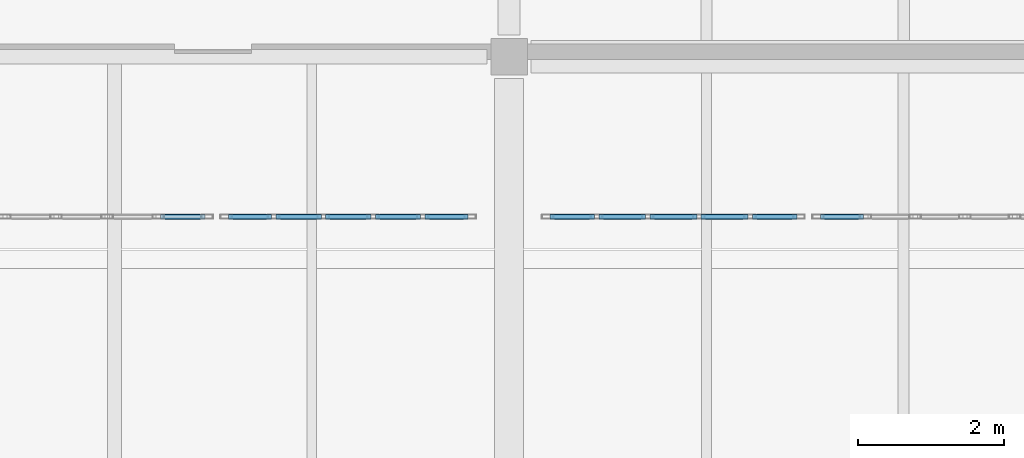
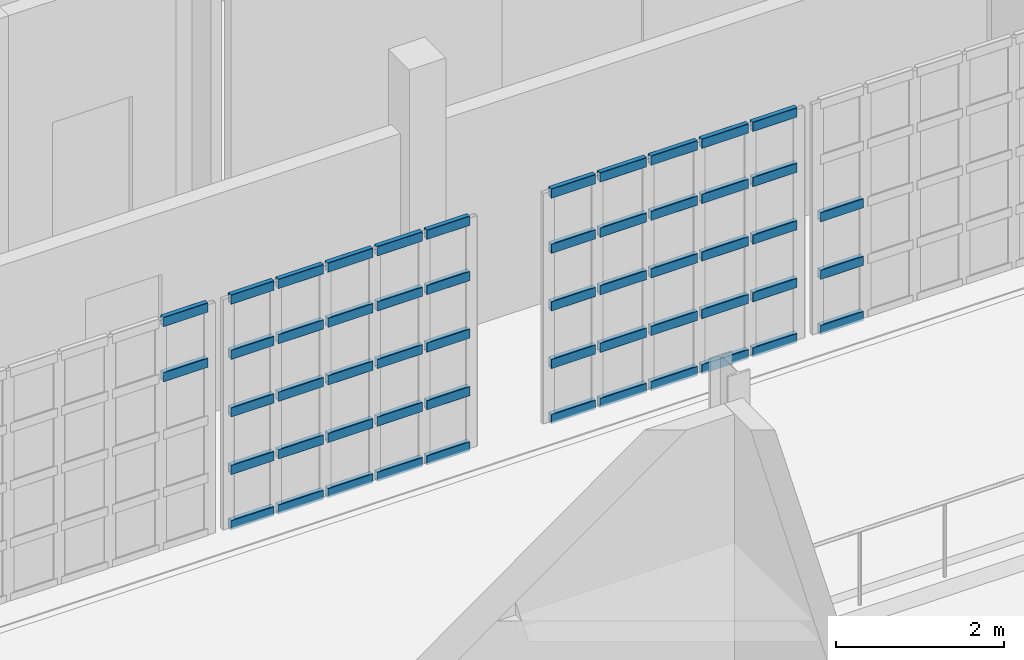
# One storey, part 13 of 25: 55 members, 4 elements without a shape of their own.
"""IFC4 building model written with IfcOpenShell, lengths in metres."""

from ifc_helpers import new_model, si_unit, direction, frame, origin, origin_2d, place, context, subcontext, project, spatial, hollow_rectangle, extrude, material, material_profile, profile_set, type_object, element, aggregate, save


model = new_model("IFC4")

# Units and contexts
model_context = context("Model", 3, precision=1e-05, world=origin(), true_north=direction((0.0, 1.0)))
body_context = subcontext(model_context, "Body", "Model", "MODEL_VIEW")
ifc_project = project(units=[si_unit("LENGTHUNIT", "METRE"), si_unit("AREAUNIT", "SQUARE_METRE"), si_unit("VOLUMEUNIT", "CUBIC_METRE"), si_unit("PLANEANGLEUNIT", "RADIAN"), si_unit("MASSUNIT", "GRAM", prefix="KILO")], contexts=[model_context])

# Site, building, storey
site_placement = place(None, origin())
site = spatial("IfcSite", under=ifc_project, at=site_placement, CompositionType="ELEMENT")
building_placement = place(site_placement, origin())
building = spatial("IfcBuilding", under=site, at=building_placement, Name="Kaelora Sail Theatre", CompositionType="ELEMENT")
storey_placement = place(building_placement, frame((0.0, 0.0, 19.199951171875)))
storey = spatial("IfcBuildingStorey", under=building, at=storey_placement, Name="L04", CompositionType="ELEMENT", Elevation=19.199951171875)

# Curtain wall, members
ifc_material_1 = material(Name="Anodised aluminium and solar-control low-E IGU", Category="aluminium")
curtain_wall_type = type_object("IfcCurtainWallType", Name="ARC-CW-CW-CLR", PredefinedType="NOTDEFINED", material=ifc_material_1)
curtain_wall_1_placement = place(storey_placement, origin())
curtain_wall_1 = element("IfcCurtainWall", 1, at=curtain_wall_1_placement, inside=storey, type_object=curtain_wall_type, Name="Glazed Foyer/Conservatory Curtain Wall NW2-S-L04-04", PredefinedType="NOTDEFINED")
ifc_material_2 = material(Name="Anodised aluminium 6063-T6", Category="aluminium")
ifc_material_profile = material_profile(ifc_material_2, hollow_rectangle(XDim=0.070068359375, YDim=0.139892578125, WallThickness=0.00390625, InnerFilletRadius=0.00390625, OuterFilletRadius=0.008056640625, at=origin_2d()), Name="ALU-TRAN 70x140x4")
ifc_profile_set = profile_set([ifc_material_profile], Name="Anodised aluminium 6063-T6")
member_type = type_object("IfcMemberType", Name="ARC-MEM-TR-140", PredefinedType="USERDEFINED", material=ifc_profile_set)
member_1_placement = place(storey_placement, frame((53.429931640625, 88.590087890625, 2.51025390625), z_axis=(1.0, 0.0, 0.0), x_axis=(0.0, 1.0, 0.0)))
member_1 = element("IfcMember", 2, at=member_1_placement, type_object=member_type, Name="CW-CLR transom 5.4", ObjectType="TRANSOM", PredefinedType="USERDEFINED", context=body_context, shape_type="SweptSolid", body=[
    extrude(hollow_rectangle(XDim=0.070068359375, YDim=0.139892578125, WallThickness=0.00390625, InnerFilletRadius=0.00390625, OuterFilletRadius=0.008056640625, at=origin_2d()), origin(), (0.0, 0.0, 1.0), 0.610107421875),
])
member_2_placement = place(storey_placement, frame((53.429931640625, 88.590087890625, 3.31201171875), z_axis=(1.0, 0.0, 0.0), x_axis=(0.0, 1.0, 0.0)))
member_2 = element("IfcMember", 3, at=member_2_placement, type_object=member_type, Name="CW-CLR transom 5.5", ObjectType="TRANSOM", PredefinedType="USERDEFINED", context=body_context, shape_type="SweptSolid", body=[
    extrude(hollow_rectangle(XDim=0.070068359375, YDim=0.139892578125, WallThickness=0.00390625, InnerFilletRadius=0.00390625, OuterFilletRadius=0.008056640625, at=origin_2d()), origin(), (0.0, 0.0, 1.0), 0.610107421875),
])
aggregate(curtain_wall_1, [member_1, member_2])

curtain_wall_2_placement = place(storey_placement, origin())
curtain_wall_2 = element("IfcCurtainWall", 4, at=curtain_wall_2_placement, inside=storey, type_object=curtain_wall_type, Name="Glazed Foyer/Conservatory Curtain Wall NW2-S-L04-05", PredefinedType="NOTDEFINED")
member_3_placement = place(storey_placement, frame((54.360107421875, 88.590087890625, 0.03515625), z_axis=(1.0, 0.0, 0.0), x_axis=(0.0, 1.0, 0.0)))
member_3 = element("IfcMember", 5, at=member_3_placement, type_object=member_type, Name="CW-CLR transom 1.1", ObjectType="TRANSOM", PredefinedType="USERDEFINED", context=body_context, shape_type="SweptSolid", body=[
    extrude(hollow_rectangle(XDim=0.070068359375, YDim=0.139892578125, WallThickness=0.00390625, InnerFilletRadius=0.00390625, OuterFilletRadius=0.008056640625, at=origin_2d()), origin(), (0.0, 0.0, 1.0), 0.58984375),
])
member_4_placement = place(storey_placement, frame((54.360107421875, 88.590087890625, 0.836669921875), z_axis=(1.0, 0.0, 0.0), x_axis=(0.0, 1.0, 0.0)))
member_4 = element("IfcMember", 6, at=member_4_placement, type_object=member_type, Name="CW-CLR transom 1.2", ObjectType="TRANSOM", PredefinedType="USERDEFINED", context=body_context, shape_type="SweptSolid", body=[
    extrude(hollow_rectangle(XDim=0.070068359375, YDim=0.139892578125, WallThickness=0.00390625, InnerFilletRadius=0.00390625, OuterFilletRadius=0.008056640625, at=origin_2d()), origin(), (0.0, 0.0, 1.0), 0.58984375),
])
member_5_placement = place(storey_placement, frame((54.360107421875, 88.590087890625, 1.673583984375), z_axis=(1.0, 0.0, 0.0), x_axis=(0.0, 1.0, 0.0)))
member_5 = element("IfcMember", 7, at=member_5_placement, type_object=member_type, Name="CW-CLR transom 1.3", ObjectType="TRANSOM", PredefinedType="USERDEFINED", context=body_context, shape_type="SweptSolid", body=[
    extrude(hollow_rectangle(XDim=0.070068359375, YDim=0.139892578125, WallThickness=0.00390625, InnerFilletRadius=0.00390625, OuterFilletRadius=0.008056640625, at=origin_2d()), origin(), (0.0, 0.0, 1.0), 0.58984375),
])
member_6_placement = place(storey_placement, frame((54.360107421875, 88.590087890625, 2.51025390625), z_axis=(1.0, 0.0, 0.0), x_axis=(0.0, 1.0, 0.0)))
member_6 = element("IfcMember", 8, at=member_6_placement, type_object=member_type, Name="CW-CLR transom 1.4", ObjectType="TRANSOM", PredefinedType="USERDEFINED", context=body_context, shape_type="SweptSolid", body=[
    extrude(hollow_rectangle(XDim=0.070068359375, YDim=0.139892578125, WallThickness=0.00390625, InnerFilletRadius=0.00390625, OuterFilletRadius=0.008056640625, at=origin_2d()), origin(), (0.0, 0.0, 1.0), 0.58984375),
])
member_7_placement = place(storey_placement, frame((54.360107421875, 88.590087890625, 3.31201171875), z_axis=(1.0, 0.0, 0.0), x_axis=(0.0, 1.0, 0.0)))
member_7 = element("IfcMember", 9, at=member_7_placement, type_object=member_type, Name="CW-CLR transom 1.5", ObjectType="TRANSOM", PredefinedType="USERDEFINED", context=body_context, shape_type="SweptSolid", body=[
    extrude(hollow_rectangle(XDim=0.070068359375, YDim=0.139892578125, WallThickness=0.00390625, InnerFilletRadius=0.00390625, OuterFilletRadius=0.008056640625, at=origin_2d()), origin(), (0.0, 0.0, 1.0), 0.58984375),
])
member_8_placement = place(storey_placement, frame((55.010009765625, 88.590087890625, 0.03515625), z_axis=(1.0, 0.0, 0.0), x_axis=(0.0, 1.0, 0.0)))
member_8 = element("IfcMember", 10, at=member_8_placement, type_object=member_type, Name="CW-CLR transom 2.1", ObjectType="TRANSOM", PredefinedType="USERDEFINED", context=body_context, shape_type="SweptSolid", body=[
    extrude(hollow_rectangle(XDim=0.070068359375, YDim=0.139892578125, WallThickness=0.00390625, InnerFilletRadius=0.00390625, OuterFilletRadius=0.008056640625, at=origin_2d()), origin(), (0.0, 0.0, 1.0), 0.619873046875),
])
member_9_placement = place(storey_placement, frame((55.010009765625, 88.590087890625, 0.836669921875), z_axis=(1.0, 0.0, 0.0), x_axis=(0.0, 1.0, 0.0)))
member_9 = element("IfcMember", 11, at=member_9_placement, type_object=member_type, Name="CW-CLR transom 2.2", ObjectType="TRANSOM", PredefinedType="USERDEFINED", context=body_context, shape_type="SweptSolid", body=[
    extrude(hollow_rectangle(XDim=0.070068359375, YDim=0.139892578125, WallThickness=0.00390625, InnerFilletRadius=0.00390625, OuterFilletRadius=0.008056640625, at=origin_2d()), origin(), (0.0, 0.0, 1.0), 0.619873046875),
])
member_10_placement = place(storey_placement, frame((55.010009765625, 88.590087890625, 1.673583984375), z_axis=(1.0, 0.0, 0.0), x_axis=(0.0, 1.0, 0.0)))
member_10 = element("IfcMember", 12, at=member_10_placement, type_object=member_type, Name="CW-CLR transom 2.3", ObjectType="TRANSOM", PredefinedType="USERDEFINED", context=body_context, shape_type="SweptSolid", body=[
    extrude(hollow_rectangle(XDim=0.070068359375, YDim=0.139892578125, WallThickness=0.00390625, InnerFilletRadius=0.00390625, OuterFilletRadius=0.008056640625, at=origin_2d()), origin(), (0.0, 0.0, 1.0), 0.619873046875),
])
member_11_placement = place(storey_placement, frame((55.010009765625, 88.590087890625, 2.51025390625), z_axis=(1.0, 0.0, 0.0), x_axis=(0.0, 1.0, 0.0)))
member_11 = element("IfcMember", 13, at=member_11_placement, type_object=member_type, Name="CW-CLR transom 2.4", ObjectType="TRANSOM", PredefinedType="USERDEFINED", context=body_context, shape_type="SweptSolid", body=[
    extrude(hollow_rectangle(XDim=0.070068359375, YDim=0.139892578125, WallThickness=0.00390625, InnerFilletRadius=0.00390625, OuterFilletRadius=0.008056640625, at=origin_2d()), origin(), (0.0, 0.0, 1.0), 0.619873046875),
])
member_12_placement = place(storey_placement, frame((55.010009765625, 88.590087890625, 3.31201171875), z_axis=(1.0, 0.0, 0.0), x_axis=(0.0, 1.0, 0.0)))
member_12 = element("IfcMember", 14, at=member_12_placement, type_object=member_type, Name="CW-CLR transom 2.5", ObjectType="TRANSOM", PredefinedType="USERDEFINED", context=body_context, shape_type="SweptSolid", body=[
    extrude(hollow_rectangle(XDim=0.070068359375, YDim=0.139892578125, WallThickness=0.00390625, InnerFilletRadius=0.00390625, OuterFilletRadius=0.008056640625, at=origin_2d()), origin(), (0.0, 0.0, 1.0), 0.619873046875),
])
member_13_placement = place(storey_placement, frame((55.68994140625, 88.590087890625, 0.03515625), z_axis=(1.0, 0.0, 0.0), x_axis=(0.0, 1.0, 0.0)))
member_13 = element("IfcMember", 15, at=member_13_placement, type_object=member_type, Name="CW-CLR transom 3.1", ObjectType="TRANSOM", PredefinedType="USERDEFINED", context=body_context, shape_type="SweptSolid", body=[
    extrude(hollow_rectangle(XDim=0.070068359375, YDim=0.139892578125, WallThickness=0.00390625, InnerFilletRadius=0.00390625, OuterFilletRadius=0.008056640625, at=origin_2d()), origin(), (0.0, 0.0, 1.0), 0.6201171875),
])
member_14_placement = place(storey_placement, frame((55.68994140625, 88.590087890625, 0.836669921875), z_axis=(1.0, 0.0, 0.0), x_axis=(0.0, 1.0, 0.0)))
member_14 = element("IfcMember", 16, at=member_14_placement, type_object=member_type, Name="CW-CLR transom 3.2", ObjectType="TRANSOM", PredefinedType="USERDEFINED", context=body_context, shape_type="SweptSolid", body=[
    extrude(hollow_rectangle(XDim=0.070068359375, YDim=0.139892578125, WallThickness=0.00390625, InnerFilletRadius=0.00390625, OuterFilletRadius=0.008056640625, at=origin_2d()), origin(), (0.0, 0.0, 1.0), 0.6201171875),
])
member_15_placement = place(storey_placement, frame((55.68994140625, 88.590087890625, 1.673583984375), z_axis=(1.0, 0.0, 0.0), x_axis=(0.0, 1.0, 0.0)))
member_15 = element("IfcMember", 17, at=member_15_placement, type_object=member_type, Name="CW-CLR transom 3.3", ObjectType="TRANSOM", PredefinedType="USERDEFINED", context=body_context, shape_type="SweptSolid", body=[
    extrude(hollow_rectangle(XDim=0.070068359375, YDim=0.139892578125, WallThickness=0.00390625, InnerFilletRadius=0.00390625, OuterFilletRadius=0.008056640625, at=origin_2d()), origin(), (0.0, 0.0, 1.0), 0.6201171875),
])
member_16_placement = place(storey_placement, frame((55.68994140625, 88.590087890625, 2.51025390625), z_axis=(1.0, 0.0, 0.0), x_axis=(0.0, 1.0, 0.0)))
member_16 = element("IfcMember", 18, at=member_16_placement, type_object=member_type, Name="CW-CLR transom 3.4", ObjectType="TRANSOM", PredefinedType="USERDEFINED", context=body_context, shape_type="SweptSolid", body=[
    extrude(hollow_rectangle(XDim=0.070068359375, YDim=0.139892578125, WallThickness=0.00390625, InnerFilletRadius=0.00390625, OuterFilletRadius=0.008056640625, at=origin_2d()), origin(), (0.0, 0.0, 1.0), 0.6201171875),
])
member_17_placement = place(storey_placement, frame((55.68994140625, 88.590087890625, 3.31201171875), z_axis=(1.0, 0.0, 0.0), x_axis=(0.0, 1.0, 0.0)))
member_17 = element("IfcMember", 19, at=member_17_placement, type_object=member_type, Name="CW-CLR transom 3.5", ObjectType="TRANSOM", PredefinedType="USERDEFINED", context=body_context, shape_type="SweptSolid", body=[
    extrude(hollow_rectangle(XDim=0.070068359375, YDim=0.139892578125, WallThickness=0.00390625, InnerFilletRadius=0.00390625, OuterFilletRadius=0.008056640625, at=origin_2d()), origin(), (0.0, 0.0, 1.0), 0.6201171875),
])
member_18_placement = place(storey_placement, frame((56.3701171875, 88.590087890625, 0.03515625), z_axis=(1.0, 0.0, 0.0), x_axis=(0.0, 1.0, 0.0)))
member_18 = element("IfcMember", 20, at=member_18_placement, type_object=member_type, Name="CW-CLR transom 4.1", ObjectType="TRANSOM", PredefinedType="USERDEFINED", context=body_context, shape_type="SweptSolid", body=[
    extrude(hollow_rectangle(XDim=0.070068359375, YDim=0.139892578125, WallThickness=0.00390625, InnerFilletRadius=0.00390625, OuterFilletRadius=0.008056640625, at=origin_2d()), origin(), (0.0, 0.0, 1.0), 0.619873046875),
])
member_19_placement = place(storey_placement, frame((56.3701171875, 88.590087890625, 0.836669921875), z_axis=(1.0, 0.0, 0.0), x_axis=(0.0, 1.0, 0.0)))
member_19 = element("IfcMember", 21, at=member_19_placement, type_object=member_type, Name="CW-CLR transom 4.2", ObjectType="TRANSOM", PredefinedType="USERDEFINED", context=body_context, shape_type="SweptSolid", body=[
    extrude(hollow_rectangle(XDim=0.070068359375, YDim=0.139892578125, WallThickness=0.00390625, InnerFilletRadius=0.00390625, OuterFilletRadius=0.008056640625, at=origin_2d()), origin(), (0.0, 0.0, 1.0), 0.619873046875),
])
member_20_placement = place(storey_placement, frame((56.3701171875, 88.590087890625, 1.673583984375), z_axis=(1.0, 0.0, 0.0), x_axis=(0.0, 1.0, 0.0)))
member_20 = element("IfcMember", 22, at=member_20_placement, type_object=member_type, Name="CW-CLR transom 4.3", ObjectType="TRANSOM", PredefinedType="USERDEFINED", context=body_context, shape_type="SweptSolid", body=[
    extrude(hollow_rectangle(XDim=0.070068359375, YDim=0.139892578125, WallThickness=0.00390625, InnerFilletRadius=0.00390625, OuterFilletRadius=0.008056640625, at=origin_2d()), origin(), (0.0, 0.0, 1.0), 0.619873046875),
])
member_21_placement = place(storey_placement, frame((56.3701171875, 88.590087890625, 2.51025390625), z_axis=(1.0, 0.0, 0.0), x_axis=(0.0, 1.0, 0.0)))
member_21 = element("IfcMember", 23, at=member_21_placement, type_object=member_type, Name="CW-CLR transom 4.4", ObjectType="TRANSOM", PredefinedType="USERDEFINED", context=body_context, shape_type="SweptSolid", body=[
    extrude(hollow_rectangle(XDim=0.070068359375, YDim=0.139892578125, WallThickness=0.00390625, InnerFilletRadius=0.00390625, OuterFilletRadius=0.008056640625, at=origin_2d()), origin(), (0.0, 0.0, 1.0), 0.619873046875),
])
member_22_placement = place(storey_placement, frame((56.3701171875, 88.590087890625, 3.31201171875), z_axis=(1.0, 0.0, 0.0), x_axis=(0.0, 1.0, 0.0)))
member_22 = element("IfcMember", 24, at=member_22_placement, type_object=member_type, Name="CW-CLR transom 4.5", ObjectType="TRANSOM", PredefinedType="USERDEFINED", context=body_context, shape_type="SweptSolid", body=[
    extrude(hollow_rectangle(XDim=0.070068359375, YDim=0.139892578125, WallThickness=0.00390625, InnerFilletRadius=0.00390625, OuterFilletRadius=0.008056640625, at=origin_2d()), origin(), (0.0, 0.0, 1.0), 0.619873046875),
])
member_23_placement = place(storey_placement, frame((57.050048828125, 88.590087890625, 0.03515625), z_axis=(1.0, 0.0, 0.0), x_axis=(0.0, 1.0, 0.0)))
member_23 = element("IfcMember", 25, at=member_23_placement, type_object=member_type, Name="CW-CLR transom 5.1", ObjectType="TRANSOM", PredefinedType="USERDEFINED", context=body_context, shape_type="SweptSolid", body=[
    extrude(hollow_rectangle(XDim=0.070068359375, YDim=0.139892578125, WallThickness=0.00390625, InnerFilletRadius=0.00390625, OuterFilletRadius=0.008056640625, at=origin_2d()), origin(), (0.0, 0.0, 1.0), 0.58984375),
])
member_24_placement = place(storey_placement, frame((57.050048828125, 88.590087890625, 0.836669921875), z_axis=(1.0, 0.0, 0.0), x_axis=(0.0, 1.0, 0.0)))
member_24 = element("IfcMember", 26, at=member_24_placement, type_object=member_type, Name="CW-CLR transom 5.2", ObjectType="TRANSOM", PredefinedType="USERDEFINED", context=body_context, shape_type="SweptSolid", body=[
    extrude(hollow_rectangle(XDim=0.070068359375, YDim=0.139892578125, WallThickness=0.00390625, InnerFilletRadius=0.00390625, OuterFilletRadius=0.008056640625, at=origin_2d()), origin(), (0.0, 0.0, 1.0), 0.58984375),
])
member_25_placement = place(storey_placement, frame((57.050048828125, 88.590087890625, 1.673583984375), z_axis=(1.0, 0.0, 0.0), x_axis=(0.0, 1.0, 0.0)))
member_25 = element("IfcMember", 27, at=member_25_placement, type_object=member_type, Name="CW-CLR transom 5.3", ObjectType="TRANSOM", PredefinedType="USERDEFINED", context=body_context, shape_type="SweptSolid", body=[
    extrude(hollow_rectangle(XDim=0.070068359375, YDim=0.139892578125, WallThickness=0.00390625, InnerFilletRadius=0.00390625, OuterFilletRadius=0.008056640625, at=origin_2d()), origin(), (0.0, 0.0, 1.0), 0.58984375),
])
member_26_placement = place(storey_placement, frame((57.050048828125, 88.590087890625, 2.51025390625), z_axis=(1.0, 0.0, 0.0), x_axis=(0.0, 1.0, 0.0)))
member_26 = element("IfcMember", 28, at=member_26_placement, type_object=member_type, Name="CW-CLR transom 5.4", ObjectType="TRANSOM", PredefinedType="USERDEFINED", context=body_context, shape_type="SweptSolid", body=[
    extrude(hollow_rectangle(XDim=0.070068359375, YDim=0.139892578125, WallThickness=0.00390625, InnerFilletRadius=0.00390625, OuterFilletRadius=0.008056640625, at=origin_2d()), origin(), (0.0, 0.0, 1.0), 0.58984375),
])
member_27_placement = place(storey_placement, frame((57.050048828125, 88.590087890625, 3.31201171875), z_axis=(1.0, 0.0, 0.0), x_axis=(0.0, 1.0, 0.0)))
member_27 = element("IfcMember", 29, at=member_27_placement, type_object=member_type, Name="CW-CLR transom 5.5", ObjectType="TRANSOM", PredefinedType="USERDEFINED", context=body_context, shape_type="SweptSolid", body=[
    extrude(hollow_rectangle(XDim=0.070068359375, YDim=0.139892578125, WallThickness=0.00390625, InnerFilletRadius=0.00390625, OuterFilletRadius=0.008056640625, at=origin_2d()), origin(), (0.0, 0.0, 1.0), 0.58984375),
])
aggregate(curtain_wall_2, [member_3, member_4, member_5, member_6, member_7, member_8, member_9, member_10, member_11, member_12, member_13, member_14, member_15, member_16, member_17, member_18, member_19, member_20, member_21, member_22, member_23, member_24, member_25, member_26, member_27])

curtain_wall_3_placement = place(storey_placement, origin())
curtain_wall_3 = element("IfcCurtainWall", 30, at=curtain_wall_3_placement, inside=storey, type_object=curtain_wall_type, Name="Glazed Foyer/Conservatory Curtain Wall NW2-S-L04-06", PredefinedType="NOTDEFINED")
member_28_placement = place(storey_placement, frame((58.760009765625, 88.590087890625, 0.03515625), z_axis=(1.0, 0.0, 0.0), x_axis=(0.0, 1.0, 0.0)))
member_28 = element("IfcMember", 31, at=member_28_placement, type_object=member_type, Name="CW-CLR transom 1.1", ObjectType="TRANSOM", PredefinedType="USERDEFINED", context=body_context, shape_type="SweptSolid", body=[
    extrude(hollow_rectangle(XDim=0.070068359375, YDim=0.139892578125, WallThickness=0.00390625, InnerFilletRadius=0.00390625, OuterFilletRadius=0.008056640625, at=origin_2d()), origin(), (0.0, 0.0, 1.0), 0.610107421875),
])
member_29_placement = place(storey_placement, frame((58.760009765625, 88.590087890625, 0.836669921875), z_axis=(1.0, 0.0, 0.0), x_axis=(0.0, 1.0, 0.0)))
member_29 = element("IfcMember", 32, at=member_29_placement, type_object=member_type, Name="CW-CLR transom 1.2", ObjectType="TRANSOM", PredefinedType="USERDEFINED", context=body_context, shape_type="SweptSolid", body=[
    extrude(hollow_rectangle(XDim=0.070068359375, YDim=0.139892578125, WallThickness=0.00390625, InnerFilletRadius=0.00390625, OuterFilletRadius=0.008056640625, at=origin_2d()), origin(), (0.0, 0.0, 1.0), 0.610107421875),
])
member_30_placement = place(storey_placement, frame((58.760009765625, 88.590087890625, 1.673583984375), z_axis=(1.0, 0.0, 0.0), x_axis=(0.0, 1.0, 0.0)))
member_30 = element("IfcMember", 33, at=member_30_placement, type_object=member_type, Name="CW-CLR transom 1.3", ObjectType="TRANSOM", PredefinedType="USERDEFINED", context=body_context, shape_type="SweptSolid", body=[
    extrude(hollow_rectangle(XDim=0.070068359375, YDim=0.139892578125, WallThickness=0.00390625, InnerFilletRadius=0.00390625, OuterFilletRadius=0.008056640625, at=origin_2d()), origin(), (0.0, 0.0, 1.0), 0.610107421875),
])
member_31_placement = place(storey_placement, frame((58.760009765625, 88.590087890625, 2.51025390625), z_axis=(1.0, 0.0, 0.0), x_axis=(0.0, 1.0, 0.0)))
member_31 = element("IfcMember", 34, at=member_31_placement, type_object=member_type, Name="CW-CLR transom 1.4", ObjectType="TRANSOM", PredefinedType="USERDEFINED", context=body_context, shape_type="SweptSolid", body=[
    extrude(hollow_rectangle(XDim=0.070068359375, YDim=0.139892578125, WallThickness=0.00390625, InnerFilletRadius=0.00390625, OuterFilletRadius=0.008056640625, at=origin_2d()), origin(), (0.0, 0.0, 1.0), 0.610107421875),
])
member_32_placement = place(storey_placement, frame((58.760009765625, 88.590087890625, 3.31201171875), z_axis=(1.0, 0.0, 0.0), x_axis=(0.0, 1.0, 0.0)))
member_32 = element("IfcMember", 35, at=member_32_placement, type_object=member_type, Name="CW-CLR transom 1.5", ObjectType="TRANSOM", PredefinedType="USERDEFINED", context=body_context, shape_type="SweptSolid", body=[
    extrude(hollow_rectangle(XDim=0.070068359375, YDim=0.139892578125, WallThickness=0.00390625, InnerFilletRadius=0.00390625, OuterFilletRadius=0.008056640625, at=origin_2d()), origin(), (0.0, 0.0, 1.0), 0.610107421875),
])
member_33_placement = place(storey_placement, frame((59.429931640625, 88.590087890625, 0.03515625), z_axis=(1.0, 0.0, 0.0), x_axis=(0.0, 1.0, 0.0)))
member_33 = element("IfcMember", 36, at=member_33_placement, type_object=member_type, Name="CW-CLR transom 2.1", ObjectType="TRANSOM", PredefinedType="USERDEFINED", context=body_context, shape_type="SweptSolid", body=[
    extrude(hollow_rectangle(XDim=0.070068359375, YDim=0.139892578125, WallThickness=0.00390625, InnerFilletRadius=0.00390625, OuterFilletRadius=0.008056640625, at=origin_2d()), origin(), (0.0, 0.0, 1.0), 0.64013671875),
])
member_34_placement = place(storey_placement, frame((59.429931640625, 88.590087890625, 0.836669921875), z_axis=(1.0, 0.0, 0.0), x_axis=(0.0, 1.0, 0.0)))
member_34 = element("IfcMember", 37, at=member_34_placement, type_object=member_type, Name="CW-CLR transom 2.2", ObjectType="TRANSOM", PredefinedType="USERDEFINED", context=body_context, shape_type="SweptSolid", body=[
    extrude(hollow_rectangle(XDim=0.070068359375, YDim=0.139892578125, WallThickness=0.00390625, InnerFilletRadius=0.00390625, OuterFilletRadius=0.008056640625, at=origin_2d()), origin(), (0.0, 0.0, 1.0), 0.64013671875),
])
member_35_placement = place(storey_placement, frame((59.429931640625, 88.590087890625, 1.673583984375), z_axis=(1.0, 0.0, 0.0), x_axis=(0.0, 1.0, 0.0)))
member_35 = element("IfcMember", 38, at=member_35_placement, type_object=member_type, Name="CW-CLR transom 2.3", ObjectType="TRANSOM", PredefinedType="USERDEFINED", context=body_context, shape_type="SweptSolid", body=[
    extrude(hollow_rectangle(XDim=0.070068359375, YDim=0.139892578125, WallThickness=0.00390625, InnerFilletRadius=0.00390625, OuterFilletRadius=0.008056640625, at=origin_2d()), origin(), (0.0, 0.0, 1.0), 0.64013671875),
])
member_36_placement = place(storey_placement, frame((59.429931640625, 88.590087890625, 2.51025390625), z_axis=(1.0, 0.0, 0.0), x_axis=(0.0, 1.0, 0.0)))
member_36 = element("IfcMember", 39, at=member_36_placement, type_object=member_type, Name="CW-CLR transom 2.4", ObjectType="TRANSOM", PredefinedType="USERDEFINED", context=body_context, shape_type="SweptSolid", body=[
    extrude(hollow_rectangle(XDim=0.070068359375, YDim=0.139892578125, WallThickness=0.00390625, InnerFilletRadius=0.00390625, OuterFilletRadius=0.008056640625, at=origin_2d()), origin(), (0.0, 0.0, 1.0), 0.64013671875),
])
member_37_placement = place(storey_placement, frame((59.429931640625, 88.590087890625, 3.31201171875), z_axis=(1.0, 0.0, 0.0), x_axis=(0.0, 1.0, 0.0)))
member_37 = element("IfcMember", 40, at=member_37_placement, type_object=member_type, Name="CW-CLR transom 2.5", ObjectType="TRANSOM", PredefinedType="USERDEFINED", context=body_context, shape_type="SweptSolid", body=[
    extrude(hollow_rectangle(XDim=0.070068359375, YDim=0.139892578125, WallThickness=0.00390625, InnerFilletRadius=0.00390625, OuterFilletRadius=0.008056640625, at=origin_2d()), origin(), (0.0, 0.0, 1.0), 0.64013671875),
])
member_38_placement = place(storey_placement, frame((60.1298828125, 88.590087890625, 0.03515625), z_axis=(1.0, 0.0, 0.0), x_axis=(0.0, 1.0, 0.0)))
member_38 = element("IfcMember", 41, at=member_38_placement, type_object=member_type, Name="CW-CLR transom 3.1", ObjectType="TRANSOM", PredefinedType="USERDEFINED", context=body_context, shape_type="SweptSolid", body=[
    extrude(hollow_rectangle(XDim=0.070068359375, YDim=0.139892578125, WallThickness=0.00390625, InnerFilletRadius=0.00390625, OuterFilletRadius=0.008056640625, at=origin_2d()), origin(), (0.0, 0.0, 1.0), 0.64013671875),
])
member_39_placement = place(storey_placement, frame((60.1298828125, 88.590087890625, 0.836669921875), z_axis=(1.0, 0.0, 0.0), x_axis=(0.0, 1.0, 0.0)))
member_39 = element("IfcMember", 42, at=member_39_placement, type_object=member_type, Name="CW-CLR transom 3.2", ObjectType="TRANSOM", PredefinedType="USERDEFINED", context=body_context, shape_type="SweptSolid", body=[
    extrude(hollow_rectangle(XDim=0.070068359375, YDim=0.139892578125, WallThickness=0.00390625, InnerFilletRadius=0.00390625, OuterFilletRadius=0.008056640625, at=origin_2d()), origin(), (0.0, 0.0, 1.0), 0.64013671875),
])
member_40_placement = place(storey_placement, frame((60.1298828125, 88.590087890625, 1.673583984375), z_axis=(1.0, 0.0, 0.0), x_axis=(0.0, 1.0, 0.0)))
member_40 = element("IfcMember", 43, at=member_40_placement, type_object=member_type, Name="CW-CLR transom 3.3", ObjectType="TRANSOM", PredefinedType="USERDEFINED", context=body_context, shape_type="SweptSolid", body=[
    extrude(hollow_rectangle(XDim=0.070068359375, YDim=0.139892578125, WallThickness=0.00390625, InnerFilletRadius=0.00390625, OuterFilletRadius=0.008056640625, at=origin_2d()), origin(), (0.0, 0.0, 1.0), 0.64013671875),
])
member_41_placement = place(storey_placement, frame((60.1298828125, 88.590087890625, 2.51025390625), z_axis=(1.0, 0.0, 0.0), x_axis=(0.0, 1.0, 0.0)))
member_41 = element("IfcMember", 44, at=member_41_placement, type_object=member_type, Name="CW-CLR transom 3.4", ObjectType="TRANSOM", PredefinedType="USERDEFINED", context=body_context, shape_type="SweptSolid", body=[
    extrude(hollow_rectangle(XDim=0.070068359375, YDim=0.139892578125, WallThickness=0.00390625, InnerFilletRadius=0.00390625, OuterFilletRadius=0.008056640625, at=origin_2d()), origin(), (0.0, 0.0, 1.0), 0.64013671875),
])
member_42_placement = place(storey_placement, frame((60.1298828125, 88.590087890625, 3.31201171875), z_axis=(1.0, 0.0, 0.0), x_axis=(0.0, 1.0, 0.0)))
member_42 = element("IfcMember", 45, at=member_42_placement, type_object=member_type, Name="CW-CLR transom 3.5", ObjectType="TRANSOM", PredefinedType="USERDEFINED", context=body_context, shape_type="SweptSolid", body=[
    extrude(hollow_rectangle(XDim=0.070068359375, YDim=0.139892578125, WallThickness=0.00390625, InnerFilletRadius=0.00390625, OuterFilletRadius=0.008056640625, at=origin_2d()), origin(), (0.0, 0.0, 1.0), 0.64013671875),
])
member_43_placement = place(storey_placement, frame((60.830078125, 88.590087890625, 0.03515625), z_axis=(1.0, 0.0, 0.0), x_axis=(0.0, 1.0, 0.0)))
member_43 = element("IfcMember", 46, at=member_43_placement, type_object=member_type, Name="CW-CLR transom 4.1", ObjectType="TRANSOM", PredefinedType="USERDEFINED", context=body_context, shape_type="SweptSolid", body=[
    extrude(hollow_rectangle(XDim=0.070068359375, YDim=0.139892578125, WallThickness=0.00390625, InnerFilletRadius=0.00390625, OuterFilletRadius=0.008056640625, at=origin_2d()), origin(), (0.0, 0.0, 1.0), 0.639892578125),
])
member_44_placement = place(storey_placement, frame((60.830078125, 88.590087890625, 0.836669921875), z_axis=(1.0, 0.0, 0.0), x_axis=(0.0, 1.0, 0.0)))
member_44 = element("IfcMember", 47, at=member_44_placement, type_object=member_type, Name="CW-CLR transom 4.2", ObjectType="TRANSOM", PredefinedType="USERDEFINED", context=body_context, shape_type="SweptSolid", body=[
    extrude(hollow_rectangle(XDim=0.070068359375, YDim=0.139892578125, WallThickness=0.00390625, InnerFilletRadius=0.00390625, OuterFilletRadius=0.008056640625, at=origin_2d()), origin(), (0.0, 0.0, 1.0), 0.639892578125),
])
member_45_placement = place(storey_placement, frame((60.830078125, 88.590087890625, 1.673583984375), z_axis=(1.0, 0.0, 0.0), x_axis=(0.0, 1.0, 0.0)))
member_45 = element("IfcMember", 48, at=member_45_placement, type_object=member_type, Name="CW-CLR transom 4.3", ObjectType="TRANSOM", PredefinedType="USERDEFINED", context=body_context, shape_type="SweptSolid", body=[
    extrude(hollow_rectangle(XDim=0.070068359375, YDim=0.139892578125, WallThickness=0.00390625, InnerFilletRadius=0.00390625, OuterFilletRadius=0.008056640625, at=origin_2d()), origin(), (0.0, 0.0, 1.0), 0.639892578125),
])
member_46_placement = place(storey_placement, frame((60.830078125, 88.590087890625, 2.51025390625), z_axis=(1.0, 0.0, 0.0), x_axis=(0.0, 1.0, 0.0)))
member_46 = element("IfcMember", 49, at=member_46_placement, type_object=member_type, Name="CW-CLR transom 4.4", ObjectType="TRANSOM", PredefinedType="USERDEFINED", context=body_context, shape_type="SweptSolid", body=[
    extrude(hollow_rectangle(XDim=0.070068359375, YDim=0.139892578125, WallThickness=0.00390625, InnerFilletRadius=0.00390625, OuterFilletRadius=0.008056640625, at=origin_2d()), origin(), (0.0, 0.0, 1.0), 0.639892578125),
])
member_47_placement = place(storey_placement, frame((60.830078125, 88.590087890625, 3.31201171875), z_axis=(1.0, 0.0, 0.0), x_axis=(0.0, 1.0, 0.0)))
member_47 = element("IfcMember", 50, at=member_47_placement, type_object=member_type, Name="CW-CLR transom 4.5", ObjectType="TRANSOM", PredefinedType="USERDEFINED", context=body_context, shape_type="SweptSolid", body=[
    extrude(hollow_rectangle(XDim=0.070068359375, YDim=0.139892578125, WallThickness=0.00390625, InnerFilletRadius=0.00390625, OuterFilletRadius=0.008056640625, at=origin_2d()), origin(), (0.0, 0.0, 1.0), 0.639892578125),
])
member_48_placement = place(storey_placement, frame((61.530029296875, 88.590087890625, 0.03515625), z_axis=(1.0, 0.0, 0.0), x_axis=(0.0, 1.0, 0.0)))
member_48 = element("IfcMember", 51, at=member_48_placement, type_object=member_type, Name="CW-CLR transom 5.1", ObjectType="TRANSOM", PredefinedType="USERDEFINED", context=body_context, shape_type="SweptSolid", body=[
    extrude(hollow_rectangle(XDim=0.070068359375, YDim=0.139892578125, WallThickness=0.00390625, InnerFilletRadius=0.00390625, OuterFilletRadius=0.008056640625, at=origin_2d()), origin(), (0.0, 0.0, 1.0), 0.60986328125),
])
member_49_placement = place(storey_placement, frame((61.530029296875, 88.590087890625, 0.836669921875), z_axis=(1.0, 0.0, 0.0), x_axis=(0.0, 1.0, 0.0)))
member_49 = element("IfcMember", 52, at=member_49_placement, type_object=member_type, Name="CW-CLR transom 5.2", ObjectType="TRANSOM", PredefinedType="USERDEFINED", context=body_context, shape_type="SweptSolid", body=[
    extrude(hollow_rectangle(XDim=0.070068359375, YDim=0.139892578125, WallThickness=0.00390625, InnerFilletRadius=0.00390625, OuterFilletRadius=0.008056640625, at=origin_2d()), origin(), (0.0, 0.0, 1.0), 0.60986328125),
])
member_50_placement = place(storey_placement, frame((61.530029296875, 88.590087890625, 1.673583984375), z_axis=(1.0, 0.0, 0.0), x_axis=(0.0, 1.0, 0.0)))
member_50 = element("IfcMember", 53, at=member_50_placement, type_object=member_type, Name="CW-CLR transom 5.3", ObjectType="TRANSOM", PredefinedType="USERDEFINED", context=body_context, shape_type="SweptSolid", body=[
    extrude(hollow_rectangle(XDim=0.070068359375, YDim=0.139892578125, WallThickness=0.00390625, InnerFilletRadius=0.00390625, OuterFilletRadius=0.008056640625, at=origin_2d()), origin(), (0.0, 0.0, 1.0), 0.60986328125),
])
member_51_placement = place(storey_placement, frame((61.530029296875, 88.590087890625, 2.51025390625), z_axis=(1.0, 0.0, 0.0), x_axis=(0.0, 1.0, 0.0)))
member_51 = element("IfcMember", 54, at=member_51_placement, type_object=member_type, Name="CW-CLR transom 5.4", ObjectType="TRANSOM", PredefinedType="USERDEFINED", context=body_context, shape_type="SweptSolid", body=[
    extrude(hollow_rectangle(XDim=0.070068359375, YDim=0.139892578125, WallThickness=0.00390625, InnerFilletRadius=0.00390625, OuterFilletRadius=0.008056640625, at=origin_2d()), origin(), (0.0, 0.0, 1.0), 0.60986328125),
])
member_52_placement = place(storey_placement, frame((61.530029296875, 88.590087890625, 3.31201171875), z_axis=(1.0, 0.0, 0.0), x_axis=(0.0, 1.0, 0.0)))
member_52 = element("IfcMember", 55, at=member_52_placement, type_object=member_type, Name="CW-CLR transom 5.5", ObjectType="TRANSOM", PredefinedType="USERDEFINED", context=body_context, shape_type="SweptSolid", body=[
    extrude(hollow_rectangle(XDim=0.070068359375, YDim=0.139892578125, WallThickness=0.00390625, InnerFilletRadius=0.00390625, OuterFilletRadius=0.008056640625, at=origin_2d()), origin(), (0.0, 0.0, 1.0), 0.60986328125),
])
aggregate(curtain_wall_3, [member_28, member_29, member_30, member_31, member_32, member_33, member_34, member_35, member_36, member_37, member_38, member_39, member_40, member_41, member_42, member_43, member_44, member_45, member_46, member_47, member_48, member_49, member_50, member_51, member_52])

curtain_wall_4_placement = place(storey_placement, origin())
curtain_wall_4 = element("IfcCurtainWall", 56, at=curtain_wall_4_placement, inside=storey, type_object=curtain_wall_type, Name="Glazed Foyer/Conservatory Curtain Wall NW2-S-L04-07", PredefinedType="NOTDEFINED")
member_53_placement = place(storey_placement, frame((62.4599609375, 88.590087890625, 0.03515625), z_axis=(1.0, 0.0, 0.0), x_axis=(0.0, 1.0, 0.0)))
member_53 = element("IfcMember", 57, at=member_53_placement, type_object=member_type, Name="CW-CLR transom 1.1", ObjectType="TRANSOM", PredefinedType="USERDEFINED", context=body_context, shape_type="SweptSolid", body=[
    extrude(hollow_rectangle(XDim=0.070068359375, YDim=0.139892578125, WallThickness=0.00390625, InnerFilletRadius=0.00390625, OuterFilletRadius=0.008056640625, at=origin_2d()), origin(), (0.0, 0.0, 1.0), 0.590087890625),
])
member_54_placement = place(storey_placement, frame((62.4599609375, 88.590087890625, 0.836669921875), z_axis=(1.0, 0.0, 0.0), x_axis=(0.0, 1.0, 0.0)))
member_54 = element("IfcMember", 58, at=member_54_placement, type_object=member_type, Name="CW-CLR transom 1.2", ObjectType="TRANSOM", PredefinedType="USERDEFINED", context=body_context, shape_type="SweptSolid", body=[
    extrude(hollow_rectangle(XDim=0.070068359375, YDim=0.139892578125, WallThickness=0.00390625, InnerFilletRadius=0.00390625, OuterFilletRadius=0.008056640625, at=origin_2d()), origin(), (0.0, 0.0, 1.0), 0.590087890625),
])
member_55_placement = place(storey_placement, frame((62.4599609375, 88.590087890625, 1.673583984375), z_axis=(1.0, 0.0, 0.0), x_axis=(0.0, 1.0, 0.0)))
member_55 = element("IfcMember", 59, at=member_55_placement, type_object=member_type, Name="CW-CLR transom 1.3", ObjectType="TRANSOM", PredefinedType="USERDEFINED", context=body_context, shape_type="SweptSolid", body=[
    extrude(hollow_rectangle(XDim=0.070068359375, YDim=0.139892578125, WallThickness=0.00390625, InnerFilletRadius=0.00390625, OuterFilletRadius=0.008056640625, at=origin_2d()), origin(), (0.0, 0.0, 1.0), 0.590087890625),
])
aggregate(curtain_wall_4, [member_53, member_54, member_55])

save(model, "model.ifc")
